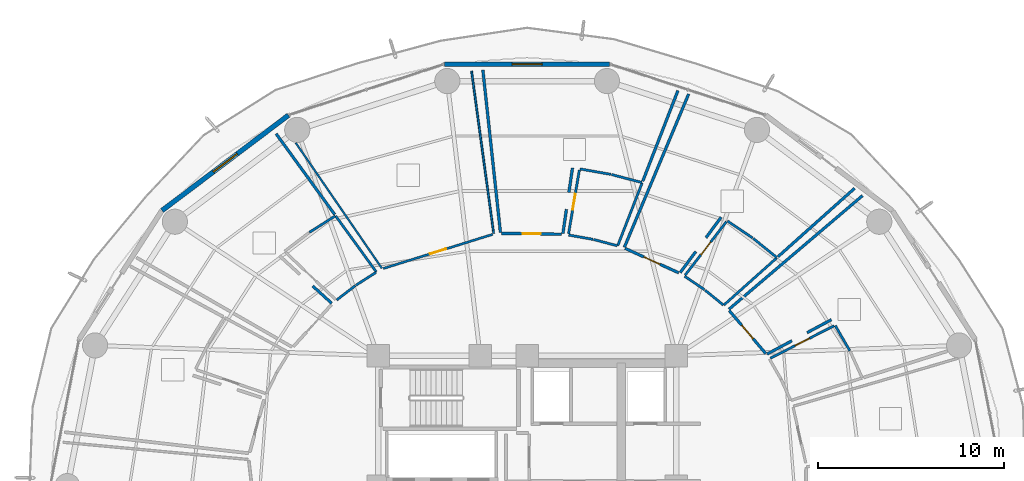
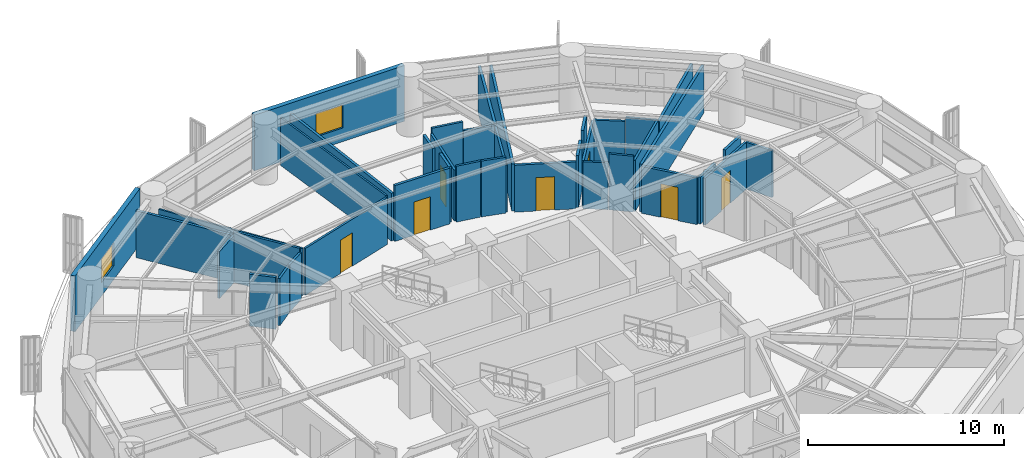
# One storey, part 32 of 37: 39 walls, 7 doors, 2 windows, 9 openings.
"""IFC4 building model written with IfcOpenShell, lengths in metres."""

from ifc_helpers import new_model, si_unit, direction, frame, frame_2d, origin, place, context, subcontext, project, spatial, rectangle, extrude, material, layer, layer_set, type_object, element, fill, save


model = new_model("IFC4")

# Units and contexts
model_context = context("Model", 3, precision=1e-05, world=origin(), true_north=direction((0.0, 1.0)))
body_context = subcontext(model_context, "Body", "Model", "MODEL_VIEW")
ifc_project = project(units=[si_unit("LENGTHUNIT", "METRE"), si_unit("AREAUNIT", "SQUARE_METRE"), si_unit("VOLUMEUNIT", "CUBIC_METRE"), si_unit("PLANEANGLEUNIT", "RADIAN"), si_unit("MASSUNIT", "GRAM", prefix="KILO")], contexts=[model_context])

# Site, building, storey
site_placement = place(None, origin())
site = spatial("IfcSite", under=ifc_project, at=site_placement, CompositionType="ELEMENT")
building_placement = place(site_placement, origin())
building = spatial("IfcBuilding", under=site, at=building_placement, Name="Kelanora Arch Commons", CompositionType="ELEMENT")
storey_placement = place(building_placement, frame((0.0, 0.0, 113.85009765625)))
storey = spatial("IfcBuildingStorey", under=building, at=storey_placement, Name="L29", CompositionType="ELEMENT", Elevation=113.85009765625)

# Wall, opening, door
ifc_material_1 = material(Name="Autoclaved aerated concrete blockwork with fire plaster", Category="masonry")
ifc_layer_1 = layer(ifc_material_1, 0.14990234375)
ifc_layer_set_1 = layer_set([ifc_layer_1], Name="Autoclaved aerated concrete blockwork with fire plaster")
wall_type_1 = type_object("IfcWallType", Name="W-COMP-150", PredefinedType="PARTITIONING", material=ifc_layer_set_1)
wall_1_placement = place(storey_placement, frame((86.81103515625, 65.11669921875, 0.0), z_axis=(0.0, 0.0, 1.0), x_axis=(-0.647807427381, 0.761804132983, 0.0)))
wall_1 = element("IfcWall", 1, at=wall_1_placement, inside=storey, type_object=wall_type_1, Name="Co-Living Studio L29-01 Entry Partition", PredefinedType="PARTITIONING", context=body_context, shape_type="SweptSolid", body=[
    extrude(rectangle(XDim=3.030517578125, YDim=0.14990234375, at=frame_2d((1.51513671875, 0.0))), origin(), (0.0, 0.0, 1.0), 2.9248046875),
])
opening_1_placement = place(wall_1_placement, frame((1.0400390625, 0.0, 0.0)))
opening_1 = element("IfcOpeningElement", 2, at=opening_1_placement, cuts=wall_1, Name="Opening D-CLU1", PredefinedType="OPENING", context=body_context, shape_type="SweptSolid", body=[
    extrude(rectangle(XDim=0.949951171875, YDim=2.080078125, at=frame_2d((0.47509765625, 1.0400390625))), frame((0.0, 0.0849609375, 0.0), z_axis=(0.0, -1.0, 0.0), x_axis=(1.0, 0.0, 0.0)), (0.0, 0.0, 1.0), 0.169921875),
])
ifc_material_2 = material(Name="Solid-core acoustic timber cluster entry fire door", Category="wood")
door_type_1 = type_object("IfcDoorType", Name="D-CLU-95", OperationType="NOTDEFINED", PredefinedType="DOOR", material=ifc_material_2)
door_1_placement = place(opening_1_placement, origin())
door_1 = element("IfcDoor", 3, at=door_1_placement, inside=storey, type_object=door_type_1, Name="Co-Living Studio L29-01 Door", OperationType="SINGLE_SWING_RIGHT", OverallHeight=2.080078125, OverallWidth=0.949951171875, PredefinedType="DOOR", context=body_context, shape_type="SweptSolid", body=[
    extrude(rectangle(XDim=0.949951171875, YDim=2.080078125, at=frame_2d((0.47509765625, 1.0400390625))), frame((0.0, 0.02490234375, 0.0), z_axis=(0.0, -1.0, 0.0), x_axis=(1.0, 0.0, 0.0)), (0.0, 0.0, 1.0), 0.050048828125),
])
fill(opening_1, door_1)

wall_2_placement = place(storey_placement, frame((82.139404296875, 69.450927734375, 0.0), z_axis=(0.0, 0.0, 1.0), x_axis=(-0.910125689736, 0.414332268696, 0.0)))
wall_2 = element("IfcWall", 4, at=wall_2_placement, inside=storey, type_object=wall_type_1, Name="Co-Living Studio L29-02 Entry Partition", PredefinedType="PARTITIONING", context=body_context, shape_type="SweptSolid", body=[
    extrude(rectangle(XDim=3.161865234375, YDim=0.14990234375, at=frame_2d((1.5810546875, 0.0))), origin(), (0.0, 0.0, 1.0), 2.9248046875),
])
opening_2_placement = place(wall_2_placement, frame((1.10595703125, 0.0, 0.0)))
opening_2 = element("IfcOpeningElement", 5, at=opening_2_placement, cuts=wall_2, Name="Opening D-CLU1", PredefinedType="OPENING", context=body_context, shape_type="SweptSolid", body=[
    extrude(rectangle(XDim=0.949951171875, YDim=2.080078125, at=frame_2d((0.47509765625, 1.0400390625))), frame((0.0, 0.0849609375, 0.0), z_axis=(0.0, -1.0, 0.0), x_axis=(1.0, 0.0, 0.0)), (0.0, 0.0, 1.0), 0.169921875),
])
door_2_placement = place(opening_2_placement, origin())
door_2 = element("IfcDoor", 6, at=door_2_placement, inside=storey, type_object=door_type_1, Name="Co-Living Studio L29-02 Door", OperationType="SINGLE_SWING_RIGHT", OverallHeight=2.080078125, OverallWidth=0.949951171875, PredefinedType="DOOR", context=body_context, shape_type="SweptSolid", body=[
    extrude(rectangle(XDim=0.949951171875, YDim=2.080078125, at=frame_2d((0.47509765625, 1.0400390625))), frame((0.0, 0.02490234375, 0.0), z_axis=(0.0, -1.0, 0.0), x_axis=(1.0, 0.0, 0.0)), (0.0, 0.0, 1.0), 0.050048828125),
])
fill(opening_2, door_2)

wall_3_placement = place(storey_placement, frame((75.85595703125, 71.52001953125, 0.0), z_axis=(0.0, 0.0, 1.0), x_axis=(-0.999888601473, 0.014925972152, 0.0)))
wall_3 = element("IfcWall", 7, at=wall_3_placement, inside=storey, type_object=wall_type_1, Name="Co-Living Studio L29-03 Entry Partition", PredefinedType="PARTITIONING", context=body_context, shape_type="SweptSolid", body=[
    extrude(rectangle(XDim=3.22216796875, YDim=0.14990234375, at=frame_2d((1.611083984375, 0.0))), origin(), (0.0, 0.0, 1.0), 3.47998046875),
])
opening_3_placement = place(wall_3_placement, frame((1.135986328125, 0.0, 0.0)))
opening_3 = element("IfcOpeningElement", 8, at=opening_3_placement, cuts=wall_3, Name="Opening D-CLU1", PredefinedType="OPENING", context=body_context, shape_type="SweptSolid", body=[
    extrude(rectangle(XDim=0.949951171875, YDim=2.080078125, at=frame_2d((0.47509765625, 1.0400390625))), frame((0.0, 0.0849609375, 0.0), z_axis=(0.0, -1.0, 0.0), x_axis=(1.0, 0.0, 0.0)), (0.0, 0.0, 1.0), 0.169921875),
])
door_3_placement = place(opening_3_placement, origin())
door_3 = element("IfcDoor", 9, at=door_3_placement, inside=storey, type_object=door_type_1, Name="Co-Living Studio L29-03 Door", OperationType="SINGLE_SWING_RIGHT", OverallHeight=2.080078125, OverallWidth=0.949951171875, PredefinedType="DOOR", context=body_context, shape_type="SweptSolid", body=[
    extrude(rectangle(XDim=0.949951171875, YDim=2.080078125, at=frame_2d((0.47509765625, 1.0400390625))), frame((0.0, 0.02490234375, 0.0), z_axis=(0.0, -1.0, 0.0), x_axis=(1.0, 0.0, 0.0)), (0.0, 0.0, 1.0), 0.050048828125),
])
fill(opening_3, door_3)

# Walls
wall_4_placement = place(storey_placement, frame((84.839599609375, 67.496826171875, 0.0), z_axis=(0.0, 0.0, 1.0), x_axis=(0.761665255774, 0.647970707784, 0.0)))
element("IfcWall", 10, at=wall_4_placement, inside=storey, type_object=wall_type_1, Name="Co-Living Studio L29-01 Enclosure Partition 2", PredefinedType="PARTITIONING", context=body_context, shape_type="SweptSolid", body=[
    extrude(rectangle(XDim=9.40966796875, YDim=0.14990234375, at=frame_2d((4.704833984375, 0.0))), origin(), (0.0, 0.0, 1.0), 2.974853515625),
])
wall_5_placement = place(storey_placement, frame((90.336669921875, 66.93408203125, 0.0), z_axis=(0.0, 0.0, 1.0), x_axis=(-0.881978876335, -0.471288936533, 0.0)))
element("IfcWall", 11, at=wall_5_placement, inside=storey, type_object=wall_type_1, Name="Co-Living Studio L29-01 Enclosure Partition 7", PredefinedType="PARTITIONING", context=body_context, shape_type="SweptSolid", body=[
    extrude(rectangle(XDim=1.482666015625, YDim=0.14990234375, at=frame_2d((0.7412109375, 0.0))), origin(), (0.0, 0.0, 1.0), 3.1748046875),
])
wall_6_placement = place(storey_placement, frame((88.217529296875, 65.8017578125, 0.0), z_axis=(0.0, 0.0, 1.0), x_axis=(-0.88197684433, -0.471292739246, 0.0)))
element("IfcWall", 12, at=wall_6_placement, inside=storey, type_object=wall_type_1, Name="Co-Living Studio L29-01 Enclosure Partition 7", PredefinedType="PARTITIONING", context=body_context, shape_type="SweptSolid", body=[
    extrude(rectangle(XDim=1.510498046875, YDim=0.14990234375, at=frame_2d((0.75537109375, 0.0))), origin(), (0.0, 0.0, 1.0), 2.9248046875),
])
wall_7_placement = place(storey_placement, frame((79.222412109375, 70.822998046875, 0.0), z_axis=(0.0, 0.0, 1.0), x_axis=(0.386794233591, 0.922166048421, 0.0)))
element("IfcWall", 13, at=wall_7_placement, inside=storey, type_object=wall_type_1, Name="Co-Living Studio L29-02 Enclosure Partition 2", PredefinedType="PARTITIONING", context=body_context, shape_type="SweptSolid", body=[
    extrude(rectangle(XDim=8.922607421875, YDim=0.14990234375, at=frame_2d((4.46142578125, 0.0))), origin(), (0.0, 0.0, 1.0), 2.9248046875),
])
wall_8_placement = place(storey_placement, frame((91.576171875, 73.9833984375, 0.0), z_axis=(0.0, 0.0, 1.0), x_axis=(-0.745832931832, -0.666133048118, 0.0)))
element("IfcWall", 14, at=wall_8_placement, inside=storey, type_object=wall_type_1, Name="Co-Living Studio L29-02 Enclosure Partition 5", PredefinedType="PARTITIONING", context=body_context, shape_type="SweptSolid", body=[
    extrude(rectangle(XDim=5.501708984375, YDim=0.14990234375, at=frame_2d((2.7509765625, 0.0))), origin(), (0.0, 0.0, 1.0), 2.974853515625),
])
wall_9_placement = place(storey_placement, frame((84.416259765625, 72.435791015625, 0.0), z_axis=(0.0, 0.0, 1.0), x_axis=(-0.593970327987, -0.804486947981, 0.0)))
element("IfcWall", 15, at=wall_9_placement, inside=storey, type_object=wall_type_1, Name="Co-Living Studio L29-02 Enclosure Partition 7", PredefinedType="PARTITIONING", context=body_context, shape_type="SweptSolid", body=[
    extrude(rectangle(XDim=1.370849609375, YDim=0.14990234375, at=frame_2d((0.685546875, 0.0))), origin(), (0.0, 0.0, 1.0), 3.1748046875),
])
wall_10_placement = place(storey_placement, frame((83.055419921875, 70.5927734375, 0.0), z_axis=(0.0, 0.0, 1.0), x_axis=(-0.593972361968, -0.804485446244, 0.0)))
element("IfcWall", 16, at=wall_10_placement, inside=storey, type_object=wall_type_1, Name="Co-Living Studio L29-02 Enclosure Partition 7", PredefinedType="PARTITIONING", context=body_context, shape_type="SweptSolid", body=[
    extrude(rectangle(XDim=1.41015625, YDim=0.14990234375, at=frame_2d((0.705078125, 0.0))), origin(), (0.0, 0.0, 1.0), 3.23486328125),
])
wall_11_placement = place(storey_placement, frame((72.569580078125, 71.60888671875, 0.0), z_axis=(0.0, 0.0, 1.0), x_axis=(-0.107541262508, 0.994200622037, 0.0)))
element("IfcWall", 17, at=wall_11_placement, inside=storey, type_object=wall_type_1, Name="Co-Living Studio L29-03 Enclosure Partition 2", PredefinedType="PARTITIONING", context=body_context, shape_type="SweptSolid", body=[
    extrude(rectangle(XDim=8.78125, YDim=0.14990234375, at=frame_2d((4.390625, 0.0))), origin(), (0.0, 0.0, 1.0), 2.974853515625),
])
wall_12_placement = place(storey_placement, frame((82.097412109375, 79.234619140625, 0.0), z_axis=(0.0, 0.0, 1.0), x_axis=(-0.361863878041, -0.932230944439, 0.0)))
element("IfcWall", 18, at=wall_12_placement, inside=storey, type_object=wall_type_1, Name="Co-Living Studio L29-03 Enclosure Partition 5", PredefinedType="PARTITIONING", context=body_context, shape_type="SweptSolid", body=[
    extrude(rectangle(XDim=5.219970703125, YDim=0.14990234375, at=frame_2d((2.60986328125, 0.0))), origin(), (0.0, 0.0, 1.0), 2.974853515625),
])
wall_13_placement = place(storey_placement, frame((76.435302734375, 75.078369140625, 0.0), z_axis=(0.0, 0.0, 1.0), x_axis=(-0.14438965177, -0.989520908552, 0.0)))
element("IfcWall", 19, at=wall_13_placement, inside=storey, type_object=wall_type_1, Name="Co-Living Studio L29-03 Enclosure Partition 7", PredefinedType="PARTITIONING", context=body_context, shape_type="SweptSolid", body=[
    extrude(rectangle(XDim=1.323974609375, YDim=0.14990234375, at=frame_2d((0.662109375, 0.0))), origin(), (0.0, 0.0, 1.0), 3.1748046875),
])
wall_14_placement = place(storey_placement, frame((76.111328125, 72.857666015625, 0.0), z_axis=(0.0, 0.0, 1.0), x_axis=(-0.14431068671, -0.989532427817, 0.0)))
element("IfcWall", 20, at=wall_14_placement, inside=storey, type_object=wall_type_1, Name="Co-Living Studio L29-03 Enclosure Partition 7", PredefinedType="PARTITIONING", context=body_context, shape_type="SweptSolid", body=[
    extrude(rectangle(XDim=1.312744140625, YDim=0.14990234375, at=frame_2d((0.65625, 0.0))), origin(), (0.0, 0.0, 1.0), 3.47998046875),
])
wall_15_placement = place(storey_placement, frame((60.526611328125, 76.91455078125, 0.0), z_axis=(0.0, 0.0, 1.0), x_axis=(0.587181937274, -0.809454984875, 0.0)))
element("IfcWall", 21, at=wall_15_placement, inside=storey, type_object=wall_type_1, Name="Co-Living Studio L29-05 Enclosure Partition 5", PredefinedType="PARTITIONING", context=body_context, shape_type="SweptSolid", body=[
    extrude(rectangle(XDim=5.355712890625, YDim=0.14990234375, at=frame_2d((2.677734375, 0.0))), origin(), (0.0, 0.0, 1.0), 2.9248046875),
])
wall_16_placement = place(storey_placement, frame((62.486083984375, 68.743896484375, 0.0), z_axis=(0.0, 0.0, 1.0), x_axis=(0.740107815143, -0.672488231841, 0.0)))
element("IfcWall", 22, at=wall_16_placement, inside=storey, type_object=wall_type_1, Name="Co-Living Studio L29-05 Enclosure Partition 7", PredefinedType="PARTITIONING", context=body_context, shape_type="SweptSolid", body=[
    extrude(rectangle(XDim=1.3828125, YDim=0.14990234375, at=frame_2d((0.69140625, 0.0))), origin(), (0.0, 0.0, 1.0), 3.23486328125),
])

# Wall, opening, window
ifc_material_3 = material(Name="Precast concrete C40/50 with terracotta rainscreen", Category="masonry")
ifc_layer_2 = layer(ifc_material_3, 0.260009765625)
ifc_layer_set_2 = layer_set([ifc_layer_2], Name="Precast concrete C40/50 with terracotta rainscreen")
wall_type_2 = type_object("IfcWallType", Name="W-EXT-TC", PredefinedType="SOLIDWALL", material=ifc_layer_set_2)
wall_17_placement = place(storey_placement, frame((78.430419921875, 80.650634765625, 0.0), z_axis=(0.0, 0.0, 1.0), x_axis=(-1.0, 0.0, 0.0)))
wall_17 = element("IfcWall", 23, at=wall_17_placement, inside=storey, type_object=wall_type_2, Name="Terracotta Exterior Wall L29-B04", PredefinedType="SOLIDWALL", context=body_context, shape_type="SweptSolid", body=[
    extrude(rectangle(XDim=8.86083984375, YDim=0.260009765625, at=frame_2d((4.430419921875, 0.0))), origin(), (0.0, 0.0, 1.0), 3.474853515625),
])
opening_4_placement = place(wall_17_placement, frame((3.6298828125, 0.0, 0.85009765625)))
opening_4 = element("IfcOpeningElement", 24, at=opening_4_placement, cuts=wall_17, Name="Opening WN-01", PredefinedType="OPENING", context=body_context, shape_type="SweptSolid", body=[
    extrude(rectangle(XDim=1.60009765625, YDim=1.449951171875, at=frame_2d((0.800048828125, 0.72509765625))), frame((0.0, 0.14013671875, 0.0), z_axis=(0.0, -1.0, 0.0), x_axis=(1.0, 0.0, 0.0)), (0.0, 0.0, 1.0), 0.280029296875),
])
ifc_material_4 = material(Name="Terracotta-anodised aluminium frame with operable low-E glazing", Category="masonry")
window_type = type_object("IfcWindowType", Name="WIN-CL-18", PartitioningType="DOUBLE_PANEL_VERTICAL", PredefinedType="WINDOW", material=ifc_material_4)
window_1_placement = place(opening_4_placement, origin())
window_1 = element("IfcWindow", 25, at=window_1_placement, inside=storey, type_object=window_type, Name="Co-Living Operable Window L29-B04", OverallHeight=1.449951171875, OverallWidth=1.60009765625, PartitioningType="SINGLE_PANEL", PredefinedType="WINDOW", context=body_context, shape_type="SweptSolid", body=[
    extrude(rectangle(XDim=1.60009765625, YDim=1.449951171875, at=frame_2d((0.800048828125, 0.72509765625))), frame((0.0, 0.030029296875, 0.0), z_axis=(0.0, -1.0, 0.0), x_axis=(1.0, 0.0, 0.0)), (0.0, 0.0, 1.0), 0.06005859375),
])
fill(opening_4, window_1)

wall_18_placement = place(storey_placement, frame((61.18798828125, 77.90966796875, 0.0), z_axis=(0.0, 0.0, 1.0), x_axis=(-0.798501507879, -0.601992808857, 0.0)))
wall_18 = element("IfcWall", 26, at=wall_18_placement, inside=storey, type_object=wall_type_2, Name="Terracotta Exterior Wall L29-B06", PredefinedType="SOLIDWALL", context=body_context, shape_type="SweptSolid", body=[
    extrude(rectangle(XDim=8.499267578125, YDim=0.260009765625, at=frame_2d((4.24951171875, 0.0))), origin(), (0.0, 0.0, 1.0), 3.474853515625),
])
opening_5_placement = place(wall_18_placement, frame((3.449951171875, 0.0, 0.85009765625)))
opening_5 = element("IfcOpeningElement", 27, at=opening_5_placement, cuts=wall_18, Name="Opening WN-01", PredefinedType="OPENING", context=body_context, shape_type="SweptSolid", body=[
    extrude(rectangle(XDim=1.60009765625, YDim=1.449951171875, at=frame_2d((0.800048828125, 0.72509765625))), frame((0.0, 0.14013671875, 0.0), z_axis=(0.0, -1.0, 0.0), x_axis=(1.0, 0.0, 0.0)), (0.0, 0.0, 1.0), 0.280029296875),
])
window_2_placement = place(opening_5_placement, origin())
window_2 = element("IfcWindow", 28, at=window_2_placement, inside=storey, type_object=window_type, Name="Co-Living Operable Window L29-B06", OverallHeight=1.449951171875, OverallWidth=1.60009765625, PartitioningType="SINGLE_PANEL", PredefinedType="WINDOW", context=body_context, shape_type="SweptSolid", body=[
    extrude(rectangle(XDim=1.60009765625, YDim=1.449951171875, at=frame_2d((0.800048828125, 0.72509765625))), frame((0.0, 0.030029296875, 0.0), z_axis=(0.0, -1.0, 0.0), x_axis=(1.0, 0.0, 0.0)), (0.0, 0.0, 1.0), 0.06005859375),
])
fill(opening_5, window_2)

# Walls
ifc_material_5 = material(Name="Lightweight fire-rated acoustic stud partition")
ifc_layer_3 = layer(ifc_material_5, 0.10009765625)
ifc_layer_set_3 = layer_set([ifc_layer_3], Name="Lightweight fire-rated acoustic stud partition")
wall_type_3 = type_object("IfcWallType", Name="W-PART-100", PredefinedType="PARTITIONING", material=ifc_layer_set_3)
wall_19_placement = place(storey_placement, frame((66.201416015625, 69.697021484375, 0.0), z_axis=(0.0, 0.0, 1.0), x_axis=(-0.566050189738, 0.824370779866, 0.0)))
element("IfcWall", 29, at=wall_19_placement, inside=storey, type_object=wall_type_3, Name="Communal Dining and Social Hall L29-04 Enclosure Partition 2", PredefinedType="PARTITIONING", context=body_context, shape_type="SweptSolid", body=[
    extrude(rectangle(XDim=8.162841796875, YDim=0.10009765625, at=frame_2d((4.08154296875, 0.0))), origin(), (0.0, 0.0, 1.0), 2.9248046875),
])
wall_20_placement = place(storey_placement, frame((71.017333984375, 80.280517578125, 0.0), z_axis=(0.0, 0.0, 1.0), x_axis=(0.134981799135, -0.990848078114, 0.0)))
element("IfcWall", 30, at=wall_20_placement, inside=storey, type_object=wall_type_3, Name="Communal Dining and Social Hall L29-04 Enclosure Partition 4", PredefinedType="PARTITIONING", context=body_context, shape_type="SweptSolid", body=[
    extrude(rectangle(XDim=8.788330078125, YDim=0.10009765625, at=frame_2d((4.39404296875, 0.0))), origin(), (0.0, 0.0, 1.0), 2.974853515625),
])

# Wall, opening, door
ifc_material_6 = material(Name="Acoustic twin-stud fire-rated gypsum partition")
ifc_layer_4 = layer(ifc_material_6, 0.1201171875)
ifc_layer_set_4 = layer_set([ifc_layer_4], Name="Acoustic twin-stud fire-rated gypsum partition")
wall_type_4 = type_object("IfcWallType", Name="W-PART-120", PredefinedType="PARTITIONING", material=ifc_layer_set_4)
wall_21_placement = place(storey_placement, frame((72.151611328125, 71.51513671875, 0.0), z_axis=(0.0, 0.0, 1.0), x_axis=(-0.954537176379, -0.298091896753, 0.0)))
wall_21 = element("IfcWall", 31, at=wall_21_placement, inside=storey, type_object=wall_type_4, Name="Communal Dining and Social Hall L29-04 Entry Partition", PredefinedType="PARTITIONING", context=body_context, shape_type="SweptSolid", body=[
    extrude(rectangle(XDim=6.14990234375, YDim=0.1201171875, at=frame_2d((3.074951171875, 0.0))), origin(), (0.0, 0.0, 1.0), 2.9248046875),
])
opening_6_placement = place(wall_21_placement, frame((2.625, 0.0, 0.0)))
opening_6 = element("IfcOpeningElement", 32, at=opening_6_placement, cuts=wall_21, Name="Opening D-RM1", PredefinedType="OPENING", context=body_context, shape_type="SweptSolid", body=[
    extrude(rectangle(XDim=0.89990234375, YDim=2.080078125, at=frame_2d((0.449951171875, 1.0400390625))), frame((0.0, 0.070068359375, 0.0), z_axis=(0.0, -1.0, 0.0), x_axis=(1.0, 0.0, 0.0)), (0.0, 0.0, 1.0), 0.14013671875),
])
ifc_material_7 = material(Name="Acoustic fire-rated timber study and lounge door", Category="wood")
door_type_2 = type_object("IfcDoorType", Name="D-ROOM-90", OperationType="NOTDEFINED", PredefinedType="DOOR", material=ifc_material_7)
door_4_placement = place(opening_6_placement, origin())
door_4 = element("IfcDoor", 33, at=door_4_placement, inside=storey, type_object=door_type_2, Name="Communal Dining and Social Hall L29-04 Door", OperationType="SINGLE_SWING_LEFT", OverallHeight=2.080078125, OverallWidth=0.89990234375, PredefinedType="DOOR", context=body_context, shape_type="SweptSolid", body=[
    extrude(rectangle(XDim=0.89990234375, YDim=2.080078125, at=frame_2d((0.449951171875, 1.0400390625))), frame((0.0, 0.02490234375, 0.0), z_axis=(0.0, -1.0, 0.0), x_axis=(1.0, 0.0, 0.0)), (0.0, 0.0, 1.0), 0.050048828125),
])
fill(opening_6, door_4)

ifc_material_8 = material(Name="Moisture-resistant fire-rated cement-board plumbing wall")
ifc_layer_5 = layer(ifc_material_8, 0.1298828125)
ifc_layer_set_5 = layer_set([ifc_layer_5], Name="Moisture-resistant fire-rated cement-board plumbing wall")
wall_type_5 = type_object("IfcWallType", Name="W-WET-120", PredefinedType="PLUMBINGWALL", material=ifc_layer_set_5)
wall_22_placement = place(storey_placement, frame((87.056396484375, 64.8623046875, 0.0), z_axis=(0.0, 0.0, 1.0), x_axis=(0.890879426821, 0.454239856097, 0.0)))
wall_22 = element("IfcWall", 34, at=wall_22_placement, inside=storey, type_object=wall_type_5, Name="En-Suite Shower WC L29-01 Entry Partition", PredefinedType="PLUMBINGWALL", context=body_context, shape_type="SweptSolid", body=[
    extrude(rectangle(XDim=3.84228515625, YDim=0.1298828125, at=frame_2d((1.921142578125, 0.0))), origin(), (0.0, 0.0, 1.0), 2.9248046875),
])
opening_7_placement = place(wall_22_placement, frame((1.490966796875, 0.0, 0.0)))
opening_7 = element("IfcOpeningElement", 35, at=opening_7_placement, cuts=wall_22, Name="Opening D-BT1", PredefinedType="OPENING", context=body_context, shape_type="SweptSolid", body=[
    extrude(rectangle(XDim=0.860107421875, YDim=2.050048828125, at=frame_2d((0.43017578125, 1.02490234375))), frame((0.0, 0.074951171875, 0.0), z_axis=(0.0, -1.0, 0.0), x_axis=(1.0, 0.0, 0.0)), (0.0, 0.0, 1.0), 0.14990234375),
])
ifc_material_9 = material(Name="Moisture-sealed fire-rated accessible bathroom door")
door_type_3 = type_object("IfcDoorType", Name="D-BATH-85", OperationType="NOTDEFINED", PredefinedType="DOOR", material=ifc_material_9)
door_5_placement = place(opening_7_placement, origin())
door_5 = element("IfcDoor", 36, at=door_5_placement, inside=storey, type_object=door_type_3, Name="En-Suite Shower WC L29-01 Door", OperationType="SINGLE_SWING_LEFT", OverallHeight=2.050048828125, OverallWidth=0.860107421875, PredefinedType="DOOR", context=body_context, shape_type="SweptSolid", body=[
    extrude(rectangle(XDim=0.860107421875, YDim=2.050048828125, at=frame_2d((0.43017578125, 1.02490234375))), frame((0.0, 0.02490234375, 0.0), z_axis=(0.0, -1.0, 0.0), x_axis=(1.0, 0.0, 0.0)), (0.0, 0.0, 1.0), 0.050048828125),
])
fill(opening_7, door_5)

wall_23_placement = place(storey_placement, frame((82.481689453125, 69.322509765625, 0.0), z_axis=(0.0, 0.0, 1.0), x_axis=(0.611256142659, 0.791432832312, 0.0)))
wall_23 = element("IfcWall", 37, at=wall_23_placement, inside=storey, type_object=wall_type_5, Name="En-Suite Shower WC L29-02 Entry Partition", PredefinedType="PLUMBINGWALL", context=body_context, shape_type="SweptSolid", body=[
    extrude(rectangle(XDim=3.63134765625, YDim=0.1298828125, at=frame_2d((1.815673828125, 0.0))), origin(), (0.0, 0.0, 1.0), 2.9248046875),
])
opening_8_placement = place(wall_23_placement, frame((1.385986328125, 0.0, 0.0)))
opening_8 = element("IfcOpeningElement", 38, at=opening_8_placement, cuts=wall_23, Name="Opening D-BT1", PredefinedType="OPENING", context=body_context, shape_type="SweptSolid", body=[
    extrude(rectangle(XDim=0.860107421875, YDim=2.050048828125, at=frame_2d((0.43017578125, 1.02490234375))), frame((0.0, 0.074951171875, 0.0), z_axis=(0.0, -1.0, 0.0), x_axis=(1.0, 0.0, 0.0)), (0.0, 0.0, 1.0), 0.14990234375),
])
door_6_placement = place(opening_8_placement, origin())
door_6 = element("IfcDoor", 39, at=door_6_placement, inside=storey, type_object=door_type_3, Name="En-Suite Shower WC L29-02 Door", OperationType="SINGLE_SWING_LEFT", OverallHeight=2.050048828125, OverallWidth=0.860107421875, PredefinedType="DOOR", context=body_context, shape_type="SweptSolid", body=[
    extrude(rectangle(XDim=0.860107421875, YDim=2.050048828125, at=frame_2d((0.43017578125, 1.02490234375))), frame((0.0, 0.02490234375, 0.0), z_axis=(0.0, -1.0, 0.0), x_axis=(1.0, 0.0, 0.0)), (0.0, 0.0, 1.0), 0.050048828125),
])
fill(opening_8, door_6)

wall_24_placement = place(storey_placement, frame((76.22509765625, 71.540283203125, 0.0), z_axis=(0.0, 0.0, 1.0), x_axis=(0.166889779655, 0.98597555824, 0.0)))
wall_24 = element("IfcWall", 40, at=wall_24_placement, inside=storey, type_object=wall_type_5, Name="En-Suite Shower WC L29-03 Entry Partition", PredefinedType="PLUMBINGWALL", context=body_context, shape_type="SweptSolid", body=[
    extrude(rectangle(XDim=3.480224609375, YDim=0.1298828125, at=frame_2d((1.740234375, 0.0))), origin(), (0.0, 0.0, 1.0), 3.1748046875),
])
opening_9_placement = place(wall_24_placement, frame((1.31005859375, 0.0, 0.0)))
opening_9 = element("IfcOpeningElement", 41, at=opening_9_placement, cuts=wall_24, Name="Opening D-BT1", PredefinedType="OPENING", context=body_context, shape_type="SweptSolid", body=[
    extrude(rectangle(XDim=0.860107421875, YDim=2.050048828125, at=frame_2d((0.43017578125, 1.02490234375))), frame((0.0, 0.074951171875, 0.0), z_axis=(0.0, -1.0, 0.0), x_axis=(1.0, 0.0, 0.0)), (0.0, 0.0, 1.0), 0.14990234375),
])
door_7_placement = place(opening_9_placement, origin())
door_7 = element("IfcDoor", 42, at=door_7_placement, inside=storey, type_object=door_type_3, Name="En-Suite Shower WC L29-03 Door", OperationType="SINGLE_SWING_LEFT", OverallHeight=2.050048828125, OverallWidth=0.860107421875, PredefinedType="DOOR", context=body_context, shape_type="SweptSolid", body=[
    extrude(rectangle(XDim=0.860107421875, YDim=2.050048828125, at=frame_2d((0.43017578125, 1.02490234375))), frame((0.0, 0.02490234375, 0.0), z_axis=(0.0, -1.0, 0.0), x_axis=(1.0, 0.0, 0.0)), (0.0, 0.0, 1.0), 0.050048828125),
])
fill(opening_9, door_7)

# Walls
wall_25_placement = place(storey_placement, frame((90.54296875, 66.61767578125, 0.0), z_axis=(0.0, 0.0, 1.0), x_axis=(0.500666062801, -0.865640510581, 0.0)))
element("IfcWall", 43, at=wall_25_placement, inside=storey, type_object=wall_type_5, Name="En-Suite Shower WC L29-01 Enclosure Partition 4", PredefinedType="PLUMBINGWALL", context=body_context, shape_type="SweptSolid", body=[
    extrude(rectangle(XDim=1.559814453125, YDim=0.1298828125, at=frame_2d((0.77978515625, 0.0))), origin(), (0.0, 0.0, 1.0), 2.9248046875),
])
wall_26_placement = place(storey_placement, frame((84.535400390625, 67.719482421875, 0.0), z_axis=(0.0, 0.0, 1.0), x_axis=(-0.77480548173, 0.632199703796, 0.0)))
element("IfcWall", 44, at=wall_26_placement, inside=storey, type_object=wall_type_5, Name="En-Suite Shower WC L29-02 Enclosure Partition 1", PredefinedType="PLUMBINGWALL", context=body_context, shape_type="SweptSolid", body=[
    extrude(rectangle(XDim=1.2685546875, YDim=0.1298828125, at=frame_2d((0.63427734375, 0.0))), origin(), (0.0, 0.0, 1.0), 3.47998046875),
])
wall_27_placement = place(storey_placement, frame((83.5205078125, 68.545166015625, 0.0), z_axis=(0.0, 0.0, 1.0), x_axis=(-0.827444121362, 0.561548062077, 0.0)))
element("IfcWall", 45, at=wall_27_placement, inside=storey, type_object=wall_type_5, Name="En-Suite Shower WC L29-02 Enclosure Partition 2", PredefinedType="PLUMBINGWALL", context=body_context, shape_type="SweptSolid", body=[
    extrude(rectangle(XDim=1.280029296875, YDim=0.1298828125, at=frame_2d((0.64013671875, 0.0))), origin(), (0.0, 0.0, 1.0), 2.9248046875),
])
wall_28_placement = place(storey_placement, frame((84.754638671875, 72.23291015625, 0.0), z_axis=(0.0, 0.0, 1.0), x_axis=(0.829027028084, -0.559208535974, 0.0)))
element("IfcWall", 46, at=wall_28_placement, inside=storey, type_object=wall_type_5, Name="En-Suite Shower WC L29-02 Enclosure Partition 4", PredefinedType="PLUMBINGWALL", context=body_context, shape_type="SweptSolid", body=[
    extrude(rectangle(XDim=1.634033203125, YDim=0.1298828125, at=frame_2d((0.81689453125, 0.0))), origin(), (0.0, 0.0, 1.0), 2.9248046875),
])
wall_29_placement = place(storey_placement, frame((86.1416015625, 71.29541015625, 0.0), z_axis=(0.0, 0.0, 1.0), x_axis=(0.776777676314, -0.629774913425, 0.0)))
element("IfcWall", 47, at=wall_29_placement, inside=storey, type_object=wall_type_5, Name="En-Suite Shower WC L29-02 Enclosure Partition 5", PredefinedType="PLUMBINGWALL", context=body_context, shape_type="SweptSolid", body=[
    extrude(rectangle(XDim=1.619384765625, YDim=0.1298828125, at=frame_2d((0.8095703125, 0.0))), origin(), (0.0, 0.0, 1.0), 3.1748046875),
])
wall_30_placement = place(storey_placement, frame((87.400146484375, 70.249755859375, 0.0), z_axis=(0.0, 0.0, 1.0), x_axis=(-0.746071060308, -0.66586633266, 0.0)))
element("IfcWall", 48, at=wall_30_placement, inside=storey, type_object=wall_type_5, Name="En-Suite Shower WC L29-02 Enclosure Partition 6", PredefinedType="PLUMBINGWALL", context=body_context, shape_type="SweptSolid", body=[
    extrude(rectangle(XDim=3.798828125, YDim=0.1298828125, at=frame_2d((1.8994140625, 0.0))), origin(), (0.0, 0.0, 1.0), 3.1748046875),
])
wall_31_placement = place(storey_placement, frame((78.841796875, 70.902099609375, 0.0), z_axis=(0.0, 0.0, 1.0), x_axis=(-0.966542750929, 0.256505576208, 0.0)))
element("IfcWall", 49, at=wall_31_placement, inside=storey, type_object=wall_type_5, Name="En-Suite Shower WC L29-03 Enclosure Partition 1", PredefinedType="PLUMBINGWALL", context=body_context, shape_type="SweptSolid", body=[
    extrude(rectangle(XDim=1.3134765625, YDim=0.1298828125, at=frame_2d((0.65673828125, 0.0))), origin(), (0.0, 0.0, 1.0), 3.47998046875),
])
wall_32_placement = place(storey_placement, frame((77.533203125, 71.24755859375, 0.0), z_axis=(0.0, 0.0, 1.0), x_axis=(-0.984677145685, 0.174387266636, 0.0)))
element("IfcWall", 50, at=wall_32_placement, inside=storey, type_object=wall_type_5, Name="En-Suite Shower WC L29-03 Enclosure Partition 2", PredefinedType="PLUMBINGWALL", context=body_context, shape_type="SweptSolid", body=[
    extrude(rectangle(XDim=1.31884765625, YDim=0.1298828125, at=frame_2d((0.659423828125, 0.0))), origin(), (0.0, 0.0, 1.0), 3.47998046875),
])
wall_33_placement = place(storey_placement, frame((76.835693359375, 75.027587890625, 0.0), z_axis=(0.0, 0.0, 1.0), x_axis=(0.984809767924, -0.173636750148, 0.0)))
element("IfcWall", 51, at=wall_33_placement, inside=storey, type_object=wall_type_5, Name="En-Suite Shower WC L29-03 Enclosure Partition 4", PredefinedType="PLUMBINGWALL", context=body_context, shape_type="SweptSolid", body=[
    extrude(rectangle(XDim=1.687255859375, YDim=0.1298828125, at=frame_2d((0.84375, 0.0))), origin(), (0.0, 0.0, 1.0), 3.47998046875),
])
wall_34_placement = place(storey_placement, frame((78.536376953125, 74.725830078125, 0.0), z_axis=(0.0, 0.0, 1.0), x_axis=(0.96706889178, -0.254514751149, 0.0)))
element("IfcWall", 52, at=wall_34_placement, inside=storey, type_object=wall_type_5, Name="En-Suite Shower WC L29-03 Enclosure Partition 5", PredefinedType="PLUMBINGWALL", context=body_context, shape_type="SweptSolid", body=[
    extrude(rectangle(XDim=1.6806640625, YDim=0.1298828125, at=frame_2d((0.84033203125, 0.0))), origin(), (0.0, 0.0, 1.0), 2.9248046875),
])
wall_35_placement = place(storey_placement, frame((80.173828125, 74.2744140625, 0.0), z_axis=(0.0, 0.0, 1.0), x_axis=(-0.362308947709, -0.93205805957, 0.0)))
element("IfcWall", 53, at=wall_35_placement, inside=storey, type_object=wall_type_5, Name="En-Suite Shower WC L29-03 Enclosure Partition 6", PredefinedType="PLUMBINGWALL", context=body_context, shape_type="SweptSolid", body=[
    extrude(rectangle(XDim=3.603759765625, YDim=0.1298828125, at=frame_2d((1.8017578125, 0.0))), origin(), (0.0, 0.0, 1.0), 2.9248046875),
])
wall_36_placement = place(storey_placement, frame((65.89501953125, 69.477294921875, 0.0), z_axis=(0.0, 0.0, 1.0), x_axis=(-0.842782601573, -0.538254109586, 0.0)))
element("IfcWall", 54, at=wall_36_placement, inside=storey, type_object=wall_type_5, Name="En-Suite Shower WC L29-05 Enclosure Partition 1", PredefinedType="PLUMBINGWALL", context=body_context, shape_type="SweptSolid", body=[
    extrude(rectangle(XDim=1.28271484375, YDim=0.1298828125, at=frame_2d((0.641357421875, 0.0))), origin(), (0.0, 0.0, 1.0), 2.9248046875),
])
wall_37_placement = place(storey_placement, frame((64.78125, 68.763916015625, 0.0), z_axis=(0.0, 0.0, 1.0), x_axis=(-0.792402667756, -0.609998370599, 0.0)))
element("IfcWall", 55, at=wall_37_placement, inside=storey, type_object=wall_type_5, Name="En-Suite Shower WC L29-05 Enclosure Partition 2", PredefinedType="PLUMBINGWALL", context=body_context, shape_type="SweptSolid", body=[
    extrude(rectangle(XDim=1.271484375, YDim=0.1298828125, at=frame_2d((0.6357421875, 0.0))), origin(), (0.0, 0.0, 1.0), 2.9248046875),
])
wall_38_placement = place(storey_placement, frame((62.31591796875, 71.624755859375, 0.0), z_axis=(0.0, 0.0, 1.0), x_axis=(0.844446099651, 0.535640536913, 0.0)))
element("IfcWall", 56, at=wall_38_placement, inside=storey, type_object=wall_type_5, Name="En-Suite Shower WC L29-05 Enclosure Partition 5", PredefinedType="PLUMBINGWALL", context=body_context, shape_type="SweptSolid", body=[
    extrude(rectangle(XDim=1.63818359375, YDim=0.1298828125, at=frame_2d((0.819091796875, 0.0))), origin(), (0.0, 0.0, 1.0), 2.9248046875),
])
wall_39_placement = place(storey_placement, frame((63.727783203125, 72.496826171875, 0.0), z_axis=(0.0, 0.0, 1.0), x_axis=(0.587484552708, -0.809235380053, 0.0)))
element("IfcWall", 57, at=wall_39_placement, inside=storey, type_object=wall_type_5, Name="En-Suite Shower WC L29-05 Enclosure Partition 6", PredefinedType="PLUMBINGWALL", context=body_context, shape_type="SweptSolid", body=[
    extrude(rectangle(XDim=3.6982421875, YDim=0.1298828125, at=frame_2d((1.84912109375, 0.0))), origin(), (0.0, 0.0, 1.0), 3.1748046875),
])

save(model, "model.ifc")
